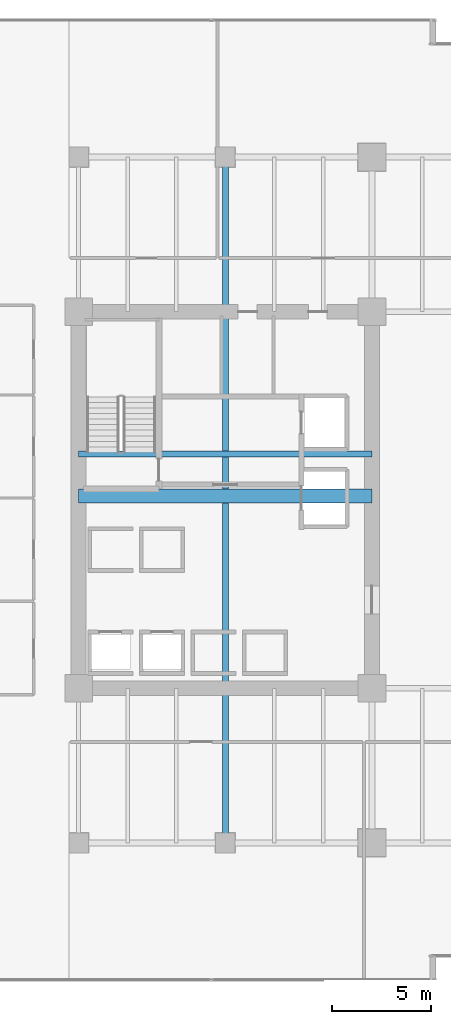
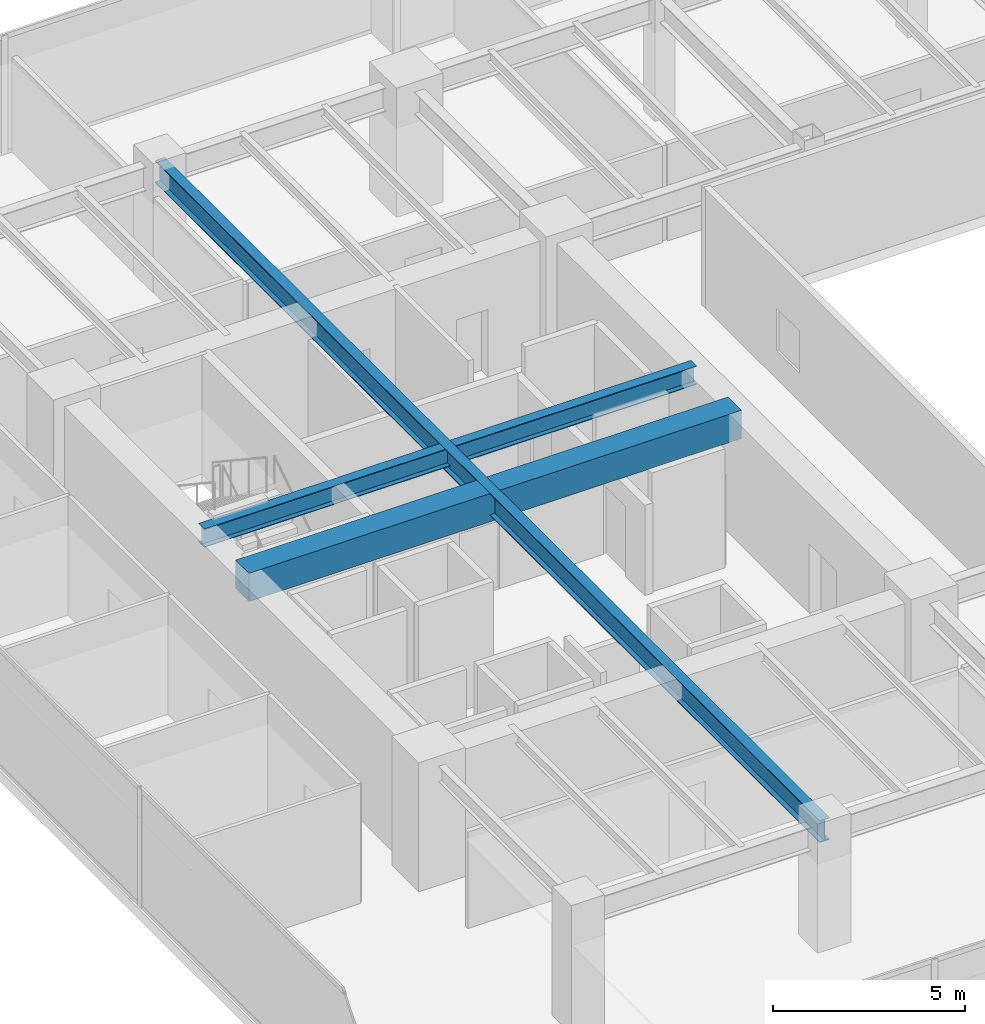
# One storey, part 7 of 36: 3 beams.
"""IFC4 building model written with IfcOpenShell, lengths in metres."""

from ifc_helpers import new_model, si_unit, direction, frame, origin, origin_2d, place, context, subcontext, project, spatial, rectangle, i_section, extrude, source, transform, mapped, material, material_profile, profile_set, type_object, type_shapes, element, save


model = new_model("IFC4")

# Units and contexts
model_context = context("Model", 3, precision=1e-05, world=origin(), true_north=direction((0.0, 1.0)))
body_context = subcontext(model_context, "Body", "Model", "MODEL_VIEW")
ifc_project = project(units=[si_unit("LENGTHUNIT", "METRE"), si_unit("AREAUNIT", "SQUARE_METRE"), si_unit("VOLUMEUNIT", "CUBIC_METRE"), si_unit("PLANEANGLEUNIT", "RADIAN"), si_unit("MASSUNIT", "GRAM", prefix="KILO")], contexts=[model_context])

# Site, building, storey
site_placement = place(None, origin())
site = spatial("IfcSite", under=ifc_project, at=site_placement, CompositionType="ELEMENT")
building_placement = place(site_placement, origin())
building = spatial("IfcBuilding", under=site, at=building_placement, Name="Haelvirn Gate Laboratories", CompositionType="ELEMENT")
storey_placement = place(building_placement, frame((0.0, 0.0, 53.89990234375)))
storey = spatial("IfcBuildingStorey", under=building, at=storey_placement, Name="L13", CompositionType="ELEMENT", Elevation=53.89990234375)

# Beams
ifc_material_1 = material(Name="Concrete C60/75", Category="concrete")
ifc_material_profile_1 = material_profile(ifc_material_1, rectangle(XDim=0.699951171875, YDim=0.89990234375, at=origin_2d()), Name="RCB-700x900")
ifc_profile_set_1 = profile_set([ifc_material_profile_1], Name="Concrete C60/75")
beam_type_1 = type_object("IfcBeamType", Name="BM-RCB-900", PredefinedType="LINTEL", material=ifc_profile_set_1)
shared_shape_1 = source(origin(), body_context, "Body", "SweptSolid", [
    extrude(rectangle(XDim=0.699951171875, YDim=0.89990234375, at=origin_2d()), origin(), (0.0, 0.0, 1.0), 14.800048828125),
])
type_shapes(beam_type_1, [shared_shape_1])
beam_1_placement = place(storey_placement, frame((7.39990234375, 24.5, 3.330078125), z_axis=(1.0, 0.0, 0.0), x_axis=(0.0, 1.0, 0.0)))
element("IfcBeam", 1, at=beam_1_placement, inside=storey, type_object=beam_type_1, Name="L13 West Core Coupling Beam", PredefinedType="LINTEL", context=body_context, shape_type="MappedRepresentation", body=[
    mapped(shared_shape_1, transform((0.0, 0.0, 0.0), scale=1.0)),
])
ifc_material_2 = material(Name="Steel SM355", Category="steel")
ifc_material_profile_2 = material_profile(ifc_material_2, i_section(OverallWidth=0.300048828125, OverallDepth=0.587890625, WebThickness=0.011962890625, FlangeThickness=0.02001953125, at=origin_2d()), Name="H-588x300x12x20")
ifc_profile_set_2 = profile_set([ifc_material_profile_2], Name="Steel SM355")
beam_type_2 = type_object("IfcBeamType", Name="BM-G-588", PredefinedType="BEAM", material=ifc_profile_set_2)
shared_shape_2 = source(origin(), body_context, "Body", "SweptSolid", [
    extrude(i_section(OverallWidth=0.300048828125, OverallDepth=0.587890625, WebThickness=0.011962890625, FlangeThickness=0.02001953125, at=origin_2d()), origin(), (0.0, 0.0, 1.0), 14.800048828125),
])
type_shapes(beam_type_2, [shared_shape_2])
beam_2_placement = place(storey_placement, frame((7.39990234375, 26.6201171875, 3.486083984375), z_axis=(1.0, 0.0, 0.0), x_axis=(0.0, 1.0, 0.0)))
element("IfcBeam", 2, at=beam_2_placement, inside=storey, type_object=beam_type_2, Name="L13 Stair ST1 Landing Header", PredefinedType="BEAM", context=body_context, shape_type="MappedRepresentation", body=[
    mapped(shared_shape_2, transform((0.0, 0.0, 0.0), scale=1.0)),
])
ifc_material_profile_3 = material_profile(ifc_material_2, i_section(OverallWidth=0.300048828125, OverallDepth=0.699951171875, WebThickness=0.012939453125, FlangeThickness=0.02392578125, at=origin_2d()), Name="H-700x300x13x24")
ifc_profile_set_3 = profile_set([ifc_material_profile_3], Name="Steel SM355")
beam_type_3 = type_object("IfcBeamType", Name="BM-G-700", PredefinedType="BEAM", material=ifc_profile_set_3)
shared_shape_3 = source(origin(), body_context, "Body", "SweptSolid", [
    extrude(i_section(OverallWidth=0.300048828125, OverallDepth=0.699951171875, WebThickness=0.012939453125, FlangeThickness=0.02392578125, at=origin_2d()), origin(), (0.0, 0.0, 1.0), 34.60009765625),
])
type_shapes(beam_type_3, [shared_shape_3])
beam_3_placement = place(storey_placement, frame((14.800048828125, 7.0, 3.43017578125), z_axis=(0.0, 1.0, 0.0), x_axis=(-1.0, 0.0, 0.0)))
element("IfcBeam", 3, at=beam_3_placement, inside=storey, type_object=beam_type_3, Name="L13 Frame Girder X14.8 (7.0-41.6)", PredefinedType="BEAM", context=body_context, shape_type="MappedRepresentation", body=[
    mapped(shared_shape_3, transform((0.0, 0.0, 0.0), scale=1.0)),
])

save(model, "model.ifc")
